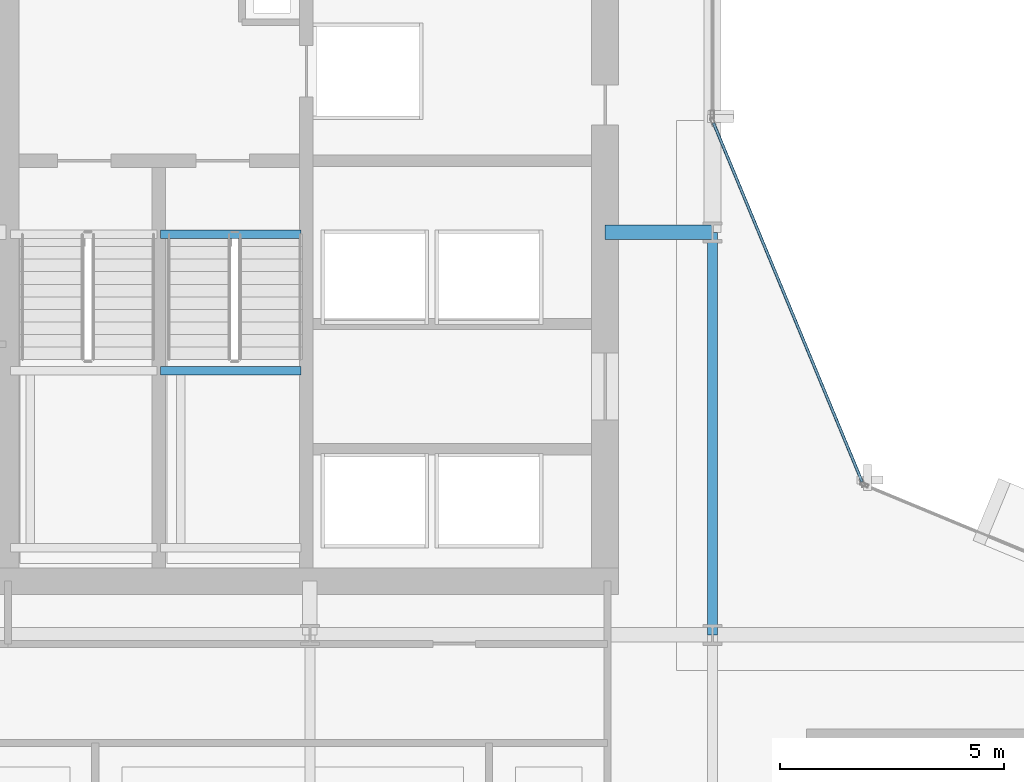
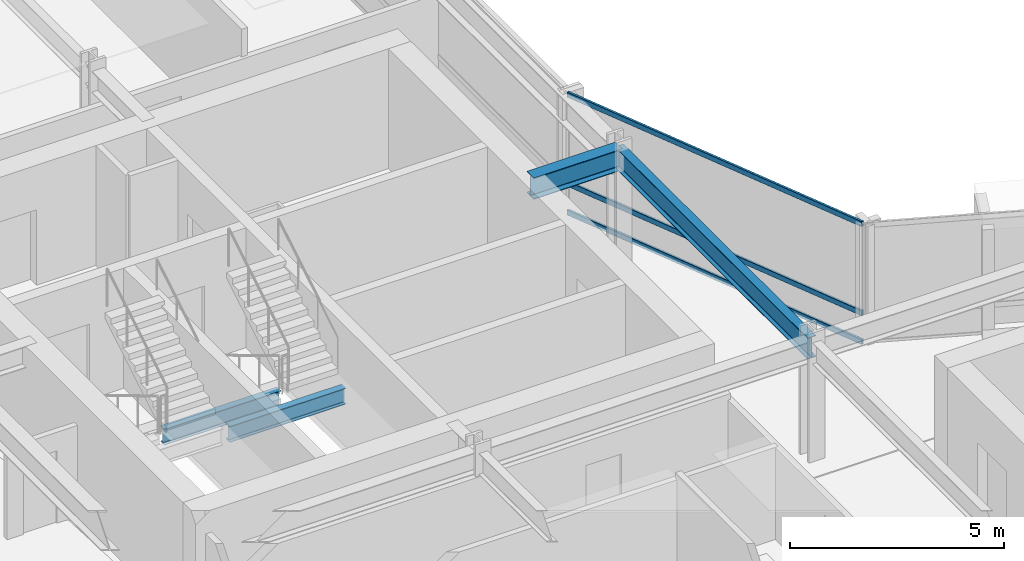
# One storey, part 20 of 34: 4 beams, 3 members, 1 element without a shape of its own.
"""IFC4 building model written with IfcOpenShell, lengths in metres."""

import ifcopenshell
import ifcopenshell.guid

model = None  # the IFC model being written
_history = None  # IfcOwnerHistory: only IFC2X3 demands one
_inside = {}  # id of a spatial element -> (the spatial element, [elements in it])
_under = {}  # id of a project, library or spatial element -> (it, [spatial elements below it])
_declared = {}  # id of a project -> (the project, [libraries it declares])
_typed = {}  # id of a type object -> (the type object, [elements of that type])
_made_of = {}  # id of a material, layer set ... -> (it, [elements and type objects made of it])


def new_model(schema):
    """Start an empty IFC model of exactly this schema.

    Asked for "IFC4X3", IfcOpenShell would pick the latest addendum, in which some entities
    have other attributes; the version numbers below select the first issue.
    IFC2X3 requires an IfcOwnerHistory on every rooted entity: one is made here for all.
    """
    global model, _history
    if schema == "IFC4X3":
        model = ifcopenshell.file(schema_version=(4, 3, 0, 0))
    else:
        model = ifcopenshell.file(schema=schema)
    _inside.clear()
    _under.clear()
    _declared.clear()
    _typed.clear()
    _made_of.clear()
    _history = None
    if model.schema == "IFC2X3":
        org = make("IfcOrganization", Name="unknown")
        user = make(
            "IfcPersonAndOrganization",
            ThePerson=make("IfcPerson", FamilyName="unknown"),
            TheOrganization=org,
        )
        app = make(
            "IfcApplication",
            ApplicationDeveloper=org,
            Version="unknown",
            ApplicationFullName="unknown",
            ApplicationIdentifier="unknown",
        )
        _history = make(
            "IfcOwnerHistory",
            OwningUser=user,
            OwningApplication=app,
            ChangeAction="ADDED",
            CreationDate=0,
        )
    return model


def make(cls, **values):
    """One entity of the class cls with the attributes given. An attribute that is None is left unset."""
    return model.create_entity(
        cls, **{name: value for name, value in values.items() if value is not None}
    )


def rooted(cls, **values):
    """An entity with a GlobalId (a new one), such as an element, a storey or a relation."""
    return make(cls, GlobalId=ifcopenshell.guid.new(), OwnerHistory=_history, **values)


def si_unit(unit_type, name, prefix=None):
    """IfcSIUnit, for example si_unit("LENGTHUNIT", "METRE", prefix="MILLI")."""
    return make("IfcSIUnit", UnitType=unit_type, Prefix=prefix, Name=name)


def assignment(units):
    """IfcUnitAssignment: the units of a project."""
    return None if units is None else make("IfcUnitAssignment", Units=units)


def point(xyz):
    """IfcCartesianPoint."""
    return None if xyz is None else make("IfcCartesianPoint", Coordinates=xyz)


def direction(xyz):
    """IfcDirection."""
    return None if xyz is None else make("IfcDirection", DirectionRatios=xyz)


def frame(location, z_axis=None, x_axis=None):
    """IfcAxis2Placement3D, a coordinate frame: its origin and axes. An axis left out is left unset."""
    return make(
        "IfcAxis2Placement3D",
        Location=point(location),
        Axis=direction(z_axis),
        RefDirection=direction(x_axis),
    )


def frame_2d(location, x_axis=None):
    """IfcAxis2Placement2D, a coordinate frame in the plane: its origin and x axis."""
    return make(
        "IfcAxis2Placement2D", Location=point(location), RefDirection=direction(x_axis)
    )


def origin():
    """The frame at (0, 0, 0) with its axes left unset."""
    return frame((0.0, 0.0, 0.0))


def origin_2d():
    """The frame at (0, 0) in the plane with its x axis left unset."""
    return frame_2d((0.0, 0.0))


def place(relative_to, where):
    """IfcLocalPlacement: puts the frame where relative to a parent placement (None: the world)."""
    return make(
        "IfcLocalPlacement", PlacementRelTo=relative_to, RelativePlacement=where
    )


def context(
    kind, dimensions, precision=None, world=None, true_north=None, identifier=None
):
    """IfcGeometricRepresentationContext, for example the 3D "Model" context."""
    return make(
        "IfcGeometricRepresentationContext",
        ContextIdentifier=identifier,
        ContextType=kind,
        CoordinateSpaceDimension=dimensions,
        Precision=precision,
        WorldCoordinateSystem=world,
        TrueNorth=true_north,
    )


def subcontext(parent, identifier, kind, view, scale=None):
    """IfcGeometricRepresentationSubContext, for example "Body" below "Model"."""
    return make(
        "IfcGeometricRepresentationSubContext",
        ContextIdentifier=identifier,
        ContextType=kind,
        ParentContext=parent,
        TargetScale=scale,
        TargetView=view,
    )


def project(units=None, contexts=None):
    """IfcProject with its units and contexts."""
    return rooted(
        "IfcProject",
        Name="project",
        RepresentationContexts=contexts,
        UnitsInContext=assignment(units),
    )


def spatial(cls, under=None, at=None, **own):
    """A site, building, storey or space (cls), placed at a placement, below another one or the project."""
    s = rooted(cls, ObjectPlacement=at, **own)
    if under is not None:
        _under.setdefault(under.id(), (under, []))[1].append(s)
    return s


def profile(cls, at=None, kind="AREA", **sizes):
    """A parametric profile (cls). Its sizes go by their IFC names, for example OverallWidth=200.0."""
    return make(cls, ProfileType=kind, Position=at, **sizes)


def hollow_rectangle(**sizes):
    """IfcRectangleHollowProfileDef."""
    return profile("IfcRectangleHollowProfileDef", **sizes)


def i_section(**sizes):
    """IfcIShapeProfileDef."""
    return profile("IfcIShapeProfileDef", **sizes)


def extrude(swept, where, along, depth):
    """IfcExtrudedAreaSolid: the profile swept, set in the frame where, extruded along a direction by depth."""
    return make(
        "IfcExtrudedAreaSolid",
        SweptArea=swept,
        Position=where,
        ExtrudedDirection=direction(along),
        Depth=depth,
    )


def shape(context_of_items, identifier, shape_type, items):
    """IfcShapeRepresentation: the items that make up one representation, for example the "Body"."""
    return make(
        "IfcShapeRepresentation",
        ContextOfItems=context_of_items,
        RepresentationIdentifier=identifier,
        RepresentationType=shape_type,
        Items=items,
    )


def material(Name=None, Category=None):
    """IfcMaterial."""
    return make("IfcMaterial", Name=Name, Category=Category)


def layer(
    of_material, thickness, ventilated=None, Name=None, Category=None, Priority=None
):
    """IfcMaterialLayer: one layer of a wall or slab, of a material (None: an air gap)."""
    return make(
        "IfcMaterialLayer",
        Material=of_material,
        LayerThickness=thickness,
        IsVentilated=ventilated,
        Name=Name,
        Category=Category,
        Priority=Priority,
    )


def layer_set(layers, Name=None):
    """IfcMaterialLayerSet."""
    return make("IfcMaterialLayerSet", MaterialLayers=layers, LayerSetName=Name)


def material_profile(
    of_material, cross_section, Name=None, Category=None, Priority=None
):
    """IfcMaterialProfile: a cross section and its material."""
    return make(
        "IfcMaterialProfile",
        Name=Name,
        Material=of_material,
        Profile=cross_section,
        Priority=Priority,
        Category=Category,
    )


def profile_set(profiles, Name=None, composite=None):
    """IfcMaterialProfileSet."""
    return make(
        "IfcMaterialProfileSet",
        Name=Name,
        MaterialProfiles=profiles,
        CompositeProfile=composite,
    )


def made_of(thing, what):
    """Note that an element or type object is made of a material, layer set ...; save() writes the relation."""
    if what is not None:
        _made_of.setdefault(what.id(), (what, []))[1].append(thing)
    return thing


def type_object(cls, material=None, **own):
    """A type object (cls), such as IfcWallType, which elements share."""
    return made_of(rooted(cls, **own), material)


def element(
    cls,
    number,
    at=None,
    inside=None,
    cuts=None,
    type_object=None,
    material=None,
    context=None,
    identifier="Body",
    shape_type=None,
    held_by="IfcProductDefinitionShape",
    body=None,
    shapes=None,
    **own,
):
    """One element of the class cls, such as IfcWall. Its Tag is "e" and its number.

    at: its placement. inside: the storey or other place that contains it. cuts: it is an
    opening in that element (IfcRelVoidsElement). A single representation is given by context,
    identifier, shape_type and body (its items); several are given by shapes. held_by: the class
    of the entity that holds the representations. save() writes the other relations.
    """
    e = rooted(cls, Tag="e%d" % number, ObjectPlacement=at, **own)
    if body is not None:
        shapes = [shape(context, identifier, shape_type, body)]
    if shapes is not None:
        e.Representation = make(held_by, Representations=shapes)
    if inside is not None:
        _inside.setdefault(inside.id(), (inside, []))[1].append(e)
    if cuts is not None:
        rooted(
            "IfcRelVoidsElement", RelatingBuildingElement=cuts, RelatedOpeningElement=e
        )
    if type_object is not None:
        _typed.setdefault(type_object.id(), (type_object, []))[1].append(e)
    return made_of(e, material)


def aggregate(whole, parts):
    """IfcRelAggregates: a whole, such as a stair, and the parts it consists of."""
    return rooted("IfcRelAggregates", RelatingObject=whole, RelatedObjects=parts)


def save(model, path):
    """Write the relations noted so far, then the file.

    IfcRelAggregates (storeys below a building ...), IfcRelContainedInSpatialStructure (elements
    in a storey), IfcRelDefinesByType, IfcRelAssociatesMaterial and IfcRelDeclares: one each for
    every whole, place, type object, material and project.
    """
    for whole, parts in _under.values():
        aggregate(whole, parts)
    for where, things in _inside.values():
        rooted(
            "IfcRelContainedInSpatialStructure",
            RelatedElements=things,
            RelatingStructure=where,
        )
    for kind, things in _typed.values():
        rooted("IfcRelDefinesByType", RelatedObjects=things, RelatingType=kind)
    for what, things in _made_of.values():
        rooted("IfcRelAssociatesMaterial", RelatedObjects=things, RelatingMaterial=what)
    for by, libraries in _declared.values():
        rooted("IfcRelDeclares", RelatingContext=by, RelatedDefinitions=libraries)
    model.write(path)


model = new_model("IFC4")

# Units and contexts
model_context = context("Model", 3, precision=1e-05, world=origin(), true_north=direction((0.0, 1.0)))
body_context = subcontext(model_context, "Body", "Model", "MODEL_VIEW")
ifc_project = project(units=[si_unit("LENGTHUNIT", "METRE"), si_unit("AREAUNIT", "SQUARE_METRE"), si_unit("VOLUMEUNIT", "CUBIC_METRE"), si_unit("PLANEANGLEUNIT", "RADIAN"), si_unit("MASSUNIT", "GRAM", prefix="KILO")], contexts=[model_context])

# Site, building, storey
site_placement = place(None, origin())
site = spatial("IfcSite", under=ifc_project, at=site_placement, CompositionType="ELEMENT")
building_placement = place(site_placement, origin())
building = spatial("IfcBuilding", under=site, at=building_placement, Name="Solvaryn Broadcast Tower", CompositionType="ELEMENT")
storey_placement = place(building_placement, frame((0.0, 0.0, 69.300048828125)))
storey = spatial("IfcBuildingStorey", under=building, at=storey_placement, Name="L16", CompositionType="ELEMENT", Elevation=69.300048828125)

# Beams
ifc_material_1 = material(Name="Steel ASTM A992 Grade 50", Category="steel")
ifc_material_profile_1 = material_profile(ifc_material_1, i_section(OverallWidth=0.323974609375, OverallDepth=0.611083984375, WebThickness=0.0126953125, FlangeThickness=0.01904296875, FilletRadius=0.014892578125, at=origin_2d()))
ifc_profile_set_1 = profile_set([ifc_material_profile_1], Name="Steel ASTM A992 Grade 50")
beam_type_1 = type_object("IfcBeamType", Name="BM-B1-W24X104", PredefinedType="BEAM", material=ifc_profile_set_1)
beam_1_placement = place(storey_placement, frame((24.60009765625, 36.0, 3.114501953125), z_axis=(1.0, 0.0, 0.0), x_axis=(0.0, 1.0, 0.0)))
element("IfcBeam", 1, at=beam_1_placement, inside=storey, type_object=beam_type_1, Name="L16 Core Tie Beam CTW2", PredefinedType="BEAM", context=body_context, shape_type="SweptSolid", body=[
    extrude(i_section(OverallWidth=0.323974609375, OverallDepth=0.611083984375, WebThickness=0.0126953125, FlangeThickness=0.01904296875, FilletRadius=0.014892578125, at=origin_2d()), origin(), (0.0, 0.0, 1.0), 2.39990234375),
])
ifc_material_2 = material(Name="Steel ASTM A992 Grade 50", Category="steel")
ifc_material_profile_2 = material_profile(ifc_material_2, i_section(OverallWidth=0.22802734375, OverallDepth=0.60791015625, WebThickness=0.01123046875, FlangeThickness=0.017333984375, FilletRadius=0.014892578125, at=origin_2d()))
ifc_profile_set_2 = profile_set([ifc_material_profile_2], Name="Steel ASTM A992 Grade 50")
beam_type_2 = type_object("IfcBeamType", Name="BM-B2-W24X76", PredefinedType="BEAM", material=ifc_profile_set_2)
beam_2_placement = place(storey_placement, frame((27.0, 27.0, 3.115966796875), z_axis=(0.0, 1.0, 0.0), x_axis=(-1.0, 0.0, 0.0)))
element("IfcBeam", 2, at=beam_2_placement, inside=storey, type_object=beam_type_2, Name="L16 Primary Beam Y (27-36 @ X=27)", PredefinedType="BEAM", context=body_context, shape_type="SweptSolid", body=[
    extrude(i_section(OverallWidth=0.22802734375, OverallDepth=0.60791015625, WebThickness=0.01123046875, FlangeThickness=0.017333984375, FilletRadius=0.014892578125, at=origin_2d()), origin(), (0.0, 0.0, 1.0), 9.0),
])
ifc_material_3 = material(Name="Steel ASTM A992 Grade 50", Category="steel")
ifc_material_profile_3 = material_profile(ifc_material_3, i_section(OverallWidth=0.18994140625, OverallDepth=0.45703125, WebThickness=0.009033203125, FlangeThickness=0.014404296875, FilletRadius=0.011962890625, at=origin_2d()))
ifc_profile_set_3 = profile_set([ifc_material_profile_3], Name="Steel ASTM A992 Grade 50")
beam_type_3 = type_object("IfcBeamType", Name="BM-B4-W18X50", PredefinedType="BEAM", material=ifc_profile_set_3)
for number, where, z_axis, x_axis, name in (
    (3, (14.659912109375, 35.9599609375, -0.508544921875), (1.0, 0.0, 0.0), (0.0, 1.0, 0.0), "L16 ST2 Stair Well Trimmer Beam"),
    (4, (14.659912109375, 32.909912109375, 1.42138671875), (1.0, 0.0, 0.0), (0.0, 1.0, 0.0), "L16 ST2 Landing Support Beam 1B"),
):
    element("IfcBeam", number, at=place(storey_placement, frame(where, z_axis=z_axis, x_axis=x_axis)), inside=storey, type_object=beam_type_3, Name=name, PredefinedType="BEAM", context=body_context, shape_type="SweptSolid", body=[
        extrude(i_section(OverallWidth=0.18994140625, OverallDepth=0.45703125, WebThickness=0.009033203125, FlangeThickness=0.014404296875, FilletRadius=0.011962890625, at=origin_2d()), origin(), (0.0, 0.0, 1.0), 3.14013671875),
    ])

# Curtain wall, members
ifc_material_4 = material(Name="Aluminium and Terracotta Unitised Curtain Wall", Category="masonry")
ifc_layer = layer(ifc_material_4, 0.199951171875)
ifc_layer_set = layer_set([ifc_layer], Name="CW-SYS2-LOWMID")
curtain_wall_type = type_object("IfcCurtainWallType", Name="CW-SYS2-LOWMID", PredefinedType="NOTDEFINED", material=ifc_layer_set)
curtain_wall_placement = place(storey_placement, origin())
curtain_wall = element("IfcCurtainWall", 5, at=curtain_wall_placement, inside=storey, type_object=curtain_wall_type, Name="L16 Curtain Wall CN2", PredefinedType="NOTDEFINED")
ifc_material_5 = material(Name="Anodised Aluminium 6063-T6", Category="aluminium")
ifc_material_profile_4 = material_profile(ifc_material_5, hollow_rectangle(XDim=0.06494140625, YDim=0.14990234375, WallThickness=0.00390625, InnerFilletRadius=0.00390625, OuterFilletRadius=0.008056640625, at=origin_2d()))
ifc_profile_set_4 = profile_set([ifc_material_profile_4], Name="Anodised Aluminium 6063-T6")
member_type = type_object("IfcMemberType", Name="CW-TRN-150", PredefinedType="USERDEFINED", material=ifc_profile_set_4)
member_1_placement = place(storey_placement, frame((30.344970703125, 30.42333984375, 0.030029296875), z_axis=(-0.382635748975, 0.923899282177, 0.0), x_axis=(-0.923899282177, -0.382635748975, 0.0)))
member_1 = element("IfcMember", 6, at=member_1_placement, type_object=member_type, Name="CWS2 transom 1.1", ObjectType="TRANSOM", PredefinedType="USERDEFINED", context=body_context, shape_type="SweptSolid", body=[
    extrude(hollow_rectangle(XDim=0.06494140625, YDim=0.14990234375, WallThickness=0.00390625, InnerFilletRadius=0.00390625, OuterFilletRadius=0.008056640625, at=origin_2d()), origin(), (0.0, 0.0, 1.0), 8.681884765625),
])
member_2_placement = place(storey_placement, frame((30.344970703125, 30.42333984375, 0.849853515625), z_axis=(-0.382635748975, 0.923899282177, 0.0), x_axis=(-0.923899282177, -0.382635748975, 0.0)))
member_2 = element("IfcMember", 7, at=member_2_placement, type_object=member_type, Name="CWS2 transom 1.2", ObjectType="TRANSOM", PredefinedType="USERDEFINED", context=body_context, shape_type="SweptSolid", body=[
    extrude(hollow_rectangle(XDim=0.06494140625, YDim=0.14990234375, WallThickness=0.00390625, InnerFilletRadius=0.00390625, OuterFilletRadius=0.008056640625, at=origin_2d()), origin(), (0.0, 0.0, 1.0), 8.681884765625),
])
member_3_placement = place(storey_placement, frame((30.344970703125, 30.42333984375, 3.389892578125), z_axis=(-0.382635748975, 0.923899282177, 0.0), x_axis=(-0.923899282177, -0.382635748975, 0.0)))
member_3 = element("IfcMember", 8, at=member_3_placement, type_object=member_type, Name="CWS2 transom 1.3", ObjectType="TRANSOM", PredefinedType="USERDEFINED", context=body_context, shape_type="SweptSolid", body=[
    extrude(hollow_rectangle(XDim=0.06494140625, YDim=0.14990234375, WallThickness=0.00390625, InnerFilletRadius=0.00390625, OuterFilletRadius=0.008056640625, at=origin_2d()), origin(), (0.0, 0.0, 1.0), 8.681884765625),
])
aggregate(curtain_wall, [member_1, member_2, member_3])

save(model, "model.ifc")
